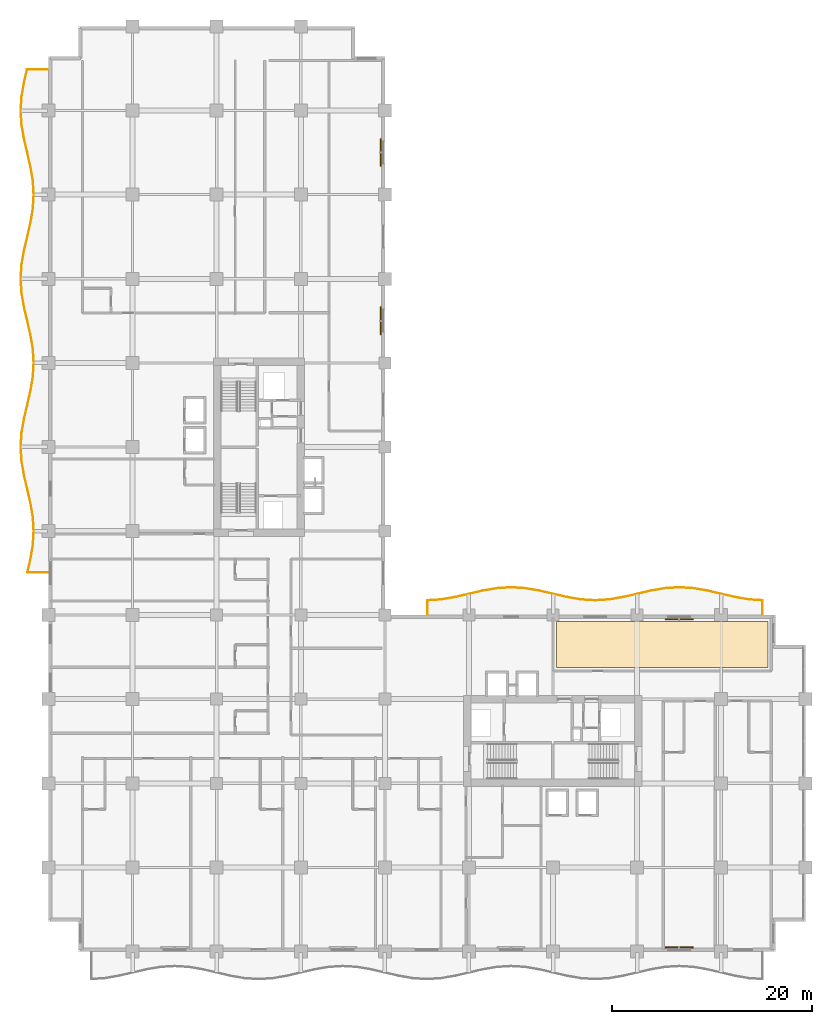
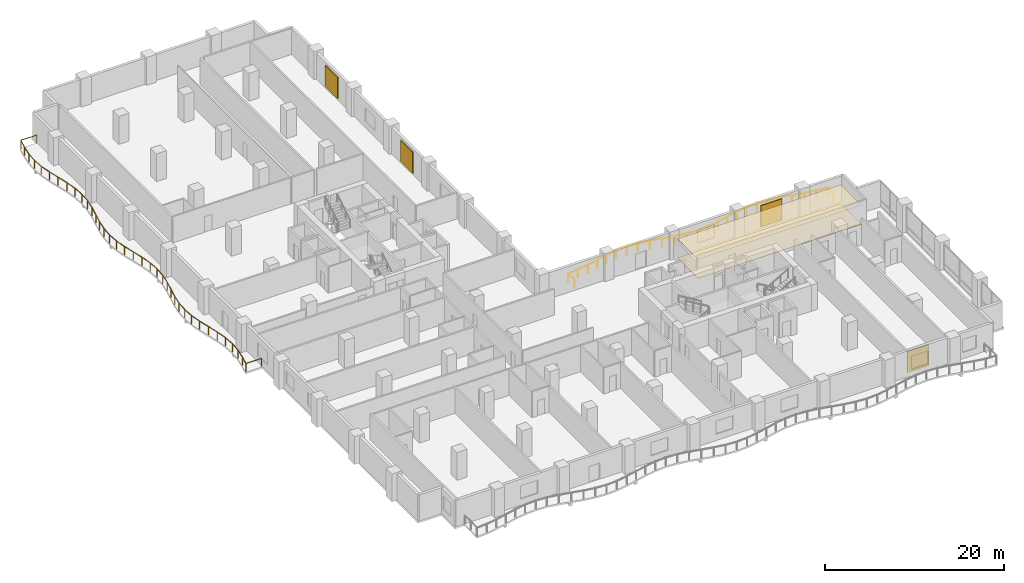
# One storey, part 23 of 23: 4 shading devices, 2 coverings, 2 railings.
"""IFC4 building model written with IfcOpenShell, lengths in metres."""

from ifc_helpers import new_model, si_unit, direction, frame, origin, origin_2d, place, context, subcontext, project, spatial, polyline, rectangle, circle, outline, extrude, material, layer, layer_set, type_object, element, save


model = new_model("IFC4")

# Units and contexts
model_context = context("Model", 3, precision=1e-05, world=origin(), true_north=direction((0.0, 1.0)))
body_context = subcontext(model_context, "Body", "Model", "MODEL_VIEW")
ifc_project = project(units=[si_unit("LENGTHUNIT", "METRE"), si_unit("AREAUNIT", "SQUARE_METRE"), si_unit("VOLUMEUNIT", "CUBIC_METRE"), si_unit("PLANEANGLEUNIT", "RADIAN"), si_unit("MASSUNIT", "GRAM", prefix="KILO")], contexts=[model_context])

# Site, building, storey
site_placement = place(None, origin())
site = spatial("IfcSite", under=ifc_project, at=site_placement, CompositionType="ELEMENT")
building_placement = place(site_placement, origin())
building = spatial("IfcBuilding", under=site, at=building_placement, Name="Koriwani Terraces Tower", CompositionType="ELEMENT")
storey_placement = place(building_placement, frame((0.0, 0.0, 119.0)))
storey = spatial("IfcBuildingStorey", under=building, at=storey_placement, Name="L28", CompositionType="ELEMENT", Elevation=119.0)

# Coverings
ifc_material_1 = material(Name="Fire-Rated Acoustic Gypsum Partition", Category="masonry")
ifc_layer_1 = layer(ifc_material_1, 0.02490234375, Name="Fire-Rated Acoustic Gypsum Partition")
ifc_layer_set_1 = layer_set([ifc_layer_1], Name="Fire-Rated Acoustic Gypsum Partition")
covering_type_1 = type_object("IfcCoveringType", Name="CEILING_ACOUSTIC_GYPSUM", PredefinedType="CEILING", material=ifc_layer_set_1)
covering_1_placement = place(storey_placement, frame((0.0, 0.0, 2.60498046875)))
element("IfcCovering", 1, at=covering_1_placement, inside=storey, type_object=covering_type_1, Name="L28 Suspended Acoustic Gypsum Ceiling", PredefinedType="CEILING", context=body_context, shape_type="SweptSolid", body=[
    extrude(outline(polyline([(50.75, 28.35009765625), (50.75, 32.949951171875), (71.85009765625, 32.949951171875), (71.85009765625, 28.35009765625), (50.75, 28.35009765625)])), origin(), (0.0, 0.0, 1.0), 0.02490234375),
])
ifc_material_2 = material(Name="Polished Andean Slate Flooring", Category="masonry")
ifc_layer_2 = layer(ifc_material_2, 0.030029296875, Name="Polished Andean Slate Flooring")
ifc_layer_set_2 = layer_set([ifc_layer_2], Name="Polished Andean Slate Flooring")
covering_type_2 = type_object("IfcCoveringType", Name="FLOORING_ANDEAN_STONE", PredefinedType="FLOORING", material=ifc_layer_set_2)
covering_2_placement = place(storey_placement, origin())
element("IfcCovering", 2, at=covering_2_placement, inside=storey, type_object=covering_type_2, Name="L28 Polished Andean Slate Floor Finish", PredefinedType="FLOORING", context=body_context, shape_type="SweptSolid", body=[
    extrude(outline(polyline([(50.75, 28.35009765625), (50.75, 32.949951171875), (71.85009765625, 32.949951171875), (71.85009765625, 28.35009765625), (50.75, 28.35009765625)])), origin(), (0.0, 0.0, 1.0), 0.030029296875),
])

# Railings
ifc_material_3 = material(Name="Steel ASTM A572 Grade 50", Category="steel")
railing_type = type_object("IfcRailingType", Name="GUARD_BALUSTRADE_1150", PredefinedType="BALUSTRADE", material=ifc_material_3)
railing_1_placement = place(storey_placement, frame((-0.080078125, 37.8798828125, 0.0)))
element("IfcRailing", 3, at=railing_1_placement, inside=storey, type_object=railing_type, Name="L28 Balcony Perimeter Safety Balustrade (W)", PredefinedType="BALUSTRADE", context=body_context, shape_type="SweptSolid", body=[
    extrude(circle(Radius=0.02392578125, at=origin_2d()), frame((0.0, 0.0, 1.1259765625), z_axis=(-1.0, 0.0, 0.0), x_axis=(0.0, -1.0, 0.0)), (0.0, 0.0, 1.0), 2.019287109375),
    extrude(circle(Radius=0.02392578125, at=origin_2d()), frame((-2.019287109375, 0.0, 1.1259765625), z_axis=(0.226071012836, 0.974110823857, 0.0), x_axis=(-0.974110823857, 0.226071012836, 0.0)), (0.0, 0.0, 1.0), 1.339111328125),
    extrude(circle(Radius=0.02392578125, at=origin_2d()), frame((-1.716552734375, 1.304443359375, 1.1259765625), z_axis=(0.167533954852, 0.985866306337, 0.0), x_axis=(-0.985866306337, 0.167533954852, 0.0)), (0.0, 0.0, 1.0), 1.4267578125),
    extrude(circle(Radius=0.02392578125, at=origin_2d()), frame((-1.4775390625, 2.7109375, 1.1259765625), z_axis=(0.061904605217, 0.9980820707, 0.0), x_axis=(-0.9980820707, 0.061904605217, 0.0)), (0.0, 0.0, 1.0), 1.411865234375),
    extrude(circle(Radius=0.02392578125, at=origin_2d()), frame((-1.39013671875, 4.1201171875, 1.1259765625), z_axis=(-0.061904605217, 0.9980820707, 0.0), x_axis=(-0.9980820707, -0.061904605217, 0.0)), (0.0, 0.0, 1.0), 1.411865234375),
    extrude(circle(Radius=0.02392578125, at=origin_2d()), frame((-1.4775390625, 5.529296875, 1.1259765625), z_axis=(-0.167533954852, 0.985866306337, 0.0), x_axis=(-0.985866306337, -0.167533954852, 0.0)), (0.0, 0.0, 1.0), 1.4267578125),
    extrude(circle(Radius=0.02392578125, at=origin_2d()), frame((-1.716552734375, 6.935791015625, 1.1259765625), z_axis=(-0.226093729043, 0.974105551615, 0.0), x_axis=(-0.974105551615, -0.226093729043, 0.0)), (0.0, 0.0, 1.0), 2.87451171875),
    extrude(circle(Radius=0.02392578125, at=origin_2d()), frame((-2.366455078125, 9.73583984375, 1.1259765625), z_axis=(-0.167535062128, 0.985866118171, 0.0), x_axis=(-0.985866118171, -0.167535062128, 0.0)), (0.0, 0.0, 1.0), 1.41357421875),
    extrude(circle(Radius=0.02392578125, at=origin_2d()), frame((-2.603271484375, 11.12939453125, 1.1259765625), z_axis=(-0.062029198499, 0.998074335174, 0.0), x_axis=(-0.998074335174, -0.062029198499, 0.0)), (0.0, 0.0, 1.0), 1.393310546875),
    extrude(circle(Radius=0.02392578125, at=origin_2d()), frame((-2.689697265625, 12.52001953125, 1.1259765625), z_axis=(0.062018352335, 0.998075009192, 0.0), x_axis=(-0.998075009192, 0.062018352335, 0.0)), (0.0, 0.0, 1.0), 1.3935546875),
    extrude(circle(Radius=0.02392578125, at=origin_2d()), frame((-2.603271484375, 13.910888671875, 1.1259765625), z_axis=(0.167563594016, 0.985861269125, 0.0), x_axis=(-0.985861269125, 0.167563594016, 0.0)), (0.0, 0.0, 1.0), 1.413330078125),
    extrude(circle(Radius=0.02392578125, at=origin_2d()), frame((-2.366455078125, 15.30419921875, 1.1259765625), z_axis=(0.226075024805, 0.974109892753, 0.0), x_axis=(-0.974109892753, 0.226075024805, 0.0)), (0.0, 0.0, 1.0), 2.874755859375),
    extrude(circle(Radius=0.02392578125, at=origin_2d()), frame((-1.716552734375, 18.1044921875, 1.1259765625), z_axis=(0.167533954852, 0.985866306337, 0.0), x_axis=(-0.985866306337, 0.167533954852, 0.0)), (0.0, 0.0, 1.0), 1.4267578125),
    extrude(circle(Radius=0.02392578125, at=origin_2d()), frame((-1.4775390625, 19.510986328125, 1.1259765625), z_axis=(0.061904605217, 0.9980820707, 0.0), x_axis=(-0.9980820707, 0.061904605217, 0.0)), (0.0, 0.0, 1.0), 1.411865234375),
    extrude(circle(Radius=0.02392578125, at=origin_2d()), frame((-1.39013671875, 20.920166015625, 1.1259765625), z_axis=(-0.061904605217, 0.9980820707, 0.0), x_axis=(-0.9980820707, -0.061904605217, 0.0)), (0.0, 0.0, 1.0), 1.411865234375),
    extrude(circle(Radius=0.02392578125, at=origin_2d()), frame((-1.4775390625, 22.329345703125, 1.1259765625), z_axis=(-0.167533954852, 0.985866306337, 0.0), x_axis=(-0.985866306337, -0.167533954852, 0.0)), (0.0, 0.0, 1.0), 1.4267578125),
    extrude(circle(Radius=0.02392578125, at=origin_2d()), frame((-1.716552734375, 23.73583984375, 1.1259765625), z_axis=(-0.226093729043, 0.974105551615, 0.0), x_axis=(-0.974105551615, -0.226093729043, 0.0)), (0.0, 0.0, 1.0), 2.87451171875),
    extrude(circle(Radius=0.02392578125, at=origin_2d()), frame((-2.366455078125, 26.535888671875, 1.1259765625), z_axis=(-0.167563594016, 0.985861269125, 0.0), x_axis=(-0.985861269125, -0.167563594016, 0.0)), (0.0, 0.0, 1.0), 1.413330078125),
    extrude(circle(Radius=0.02392578125, at=origin_2d()), frame((-2.603271484375, 27.92919921875, 1.1259765625), z_axis=(-0.062018352335, 0.998075009192, 0.0), x_axis=(-0.998075009192, -0.062018352335, 0.0)), (0.0, 0.0, 1.0), 1.3935546875),
    extrude(circle(Radius=0.02392578125, at=origin_2d()), frame((-2.689697265625, 29.320068359375, 1.1259765625), z_axis=(0.062018352335, 0.998075009192, 0.0), x_axis=(-0.998075009192, 0.062018352335, 0.0)), (0.0, 0.0, 1.0), 1.3935546875),
    extrude(circle(Radius=0.02392578125, at=origin_2d()), frame((-2.603271484375, 30.7109375, 1.1259765625), z_axis=(0.167563594016, 0.985861269125, 0.0), x_axis=(-0.985861269125, 0.167563594016, 0.0)), (0.0, 0.0, 1.0), 1.413330078125),
    extrude(circle(Radius=0.02392578125, at=origin_2d()), frame((-2.366455078125, 32.104248046875, 1.1259765625), z_axis=(0.226093729043, 0.974105551615, 0.0), x_axis=(-0.974105551615, 0.226093729043, 0.0)), (0.0, 0.0, 1.0), 2.87451171875),
    extrude(circle(Radius=0.02392578125, at=origin_2d()), frame((-1.716552734375, 34.904296875, 1.1259765625), z_axis=(0.16750569507, 0.985871108269, 0.0), x_axis=(-0.985871108269, 0.16750569507, 0.0)), (0.0, 0.0, 1.0), 1.427001953125),
    extrude(circle(Radius=0.02392578125, at=origin_2d()), frame((-1.4775390625, 36.31103515625, 1.1259765625), z_axis=(0.061904605217, 0.9980820707, 0.0), x_axis=(-0.9980820707, 0.061904605217, 0.0)), (0.0, 0.0, 1.0), 1.411865234375),
    extrude(circle(Radius=0.02392578125, at=origin_2d()), frame((-1.39013671875, 37.72021484375, 1.1259765625), z_axis=(-0.061904605217, 0.9980820707, 0.0), x_axis=(-0.9980820707, -0.061904605217, 0.0)), (0.0, 0.0, 1.0), 1.411865234375),
    extrude(circle(Radius=0.02392578125, at=origin_2d()), frame((-1.4775390625, 39.12939453125, 1.1259765625), z_axis=(-0.167533954852, 0.985866306337, 0.0), x_axis=(-0.985866306337, -0.167533954852, 0.0)), (0.0, 0.0, 1.0), 1.4267578125),
    extrude(circle(Radius=0.02392578125, at=origin_2d()), frame((-1.716552734375, 40.535888671875, 1.1259765625), z_axis=(-0.226093729043, 0.974105551615, 0.0), x_axis=(-0.974105551615, -0.226093729043, 0.0)), (0.0, 0.0, 1.0), 2.87451171875),
    extrude(circle(Radius=0.02392578125, at=origin_2d()), frame((-2.366455078125, 43.3359375, 1.1259765625), z_axis=(-0.167563594016, 0.985861269125, 0.0), x_axis=(-0.985861269125, -0.167563594016, 0.0)), (0.0, 0.0, 1.0), 1.413330078125),
    extrude(circle(Radius=0.02392578125, at=origin_2d()), frame((-2.603271484375, 44.729248046875, 1.1259765625), z_axis=(-0.062018352335, 0.998075009192, 0.0), x_axis=(-0.998075009192, -0.062018352335, 0.0)), (0.0, 0.0, 1.0), 1.3935546875),
    extrude(circle(Radius=0.02392578125, at=origin_2d()), frame((-2.689697265625, 46.1201171875, 1.1259765625), z_axis=(0.062018352335, 0.998075009192, 0.0), x_axis=(-0.998075009192, 0.062018352335, 0.0)), (0.0, 0.0, 1.0), 1.3935546875),
    extrude(circle(Radius=0.02392578125, at=origin_2d()), frame((-2.603271484375, 47.510986328125, 1.1259765625), z_axis=(0.167563594016, 0.985861269125, 0.0), x_axis=(-0.985861269125, 0.167563594016, 0.0)), (0.0, 0.0, 1.0), 1.413330078125),
    extrude(circle(Radius=0.02392578125, at=origin_2d()), frame((-2.366455078125, 48.904296875, 1.1259765625), z_axis=(0.226081445763, 0.974108402531, 0.0), x_axis=(-0.974108402531, 0.226081445763, 0.0)), (0.0, 0.0, 1.0), 1.371337890625),
    extrude(circle(Radius=0.02392578125, at=origin_2d()), frame((-2.056396484375, 50.240234375, 1.1259765625), z_axis=(1.0, 0.0, 0.0), x_axis=(0.0, 1.0, 0.0)), (0.0, 0.0, 1.0), 2.056396484375),
    extrude(circle(Radius=0.02099609375, at=origin_2d()), origin(), (0.0, 0.0, 1.0), 1.101806640625),
    extrude(circle(Radius=0.02099609375, at=origin_2d()), frame((-2.019287109375, 0.0, 0.0)), (0.0, 0.0, 1.0), 1.101806640625),
    extrude(circle(Radius=0.02099609375, at=origin_2d()), frame((-1.716552734375, 1.304443359375, 0.0)), (0.0, 0.0, 1.0), 1.101806640625),
    extrude(circle(Radius=0.02099609375, at=origin_2d()), frame((-1.4775390625, 2.7109375, 0.0)), (0.0, 0.0, 1.0), 1.101806640625),
    extrude(circle(Radius=0.02099609375, at=origin_2d()), frame((-1.39013671875, 4.1201171875, 0.0)), (0.0, 0.0, 1.0), 1.101806640625),
    extrude(circle(Radius=0.02099609375, at=origin_2d()), frame((-1.4775390625, 5.529296875, 0.0)), (0.0, 0.0, 1.0), 1.101806640625),
    extrude(circle(Radius=0.02099609375, at=origin_2d()), frame((-1.716552734375, 6.935791015625, 0.0)), (0.0, 0.0, 1.0), 1.101806640625),
    extrude(circle(Radius=0.02099609375, at=origin_2d()), frame((-2.04150390625, 8.3359375, 0.0)), (0.0, 0.0, 1.0), 1.101806640625),
    extrude(circle(Radius=0.02099609375, at=origin_2d()), frame((-2.366455078125, 9.73583984375, 0.0)), (0.0, 0.0, 1.0), 1.101806640625),
    extrude(circle(Radius=0.02099609375, at=origin_2d()), frame((-2.603271484375, 11.12939453125, 0.0)), (0.0, 0.0, 1.0), 1.101806640625),
    extrude(circle(Radius=0.02099609375, at=origin_2d()), frame((-2.689697265625, 12.52001953125, 0.0)), (0.0, 0.0, 1.0), 1.101806640625),
    extrude(circle(Radius=0.02099609375, at=origin_2d()), frame((-2.603271484375, 13.910888671875, 0.0)), (0.0, 0.0, 1.0), 1.101806640625),
    extrude(circle(Radius=0.02099609375, at=origin_2d()), frame((-2.366455078125, 15.30419921875, 0.0)), (0.0, 0.0, 1.0), 1.101806640625),
    extrude(circle(Radius=0.02099609375, at=origin_2d()), frame((-2.04150390625, 16.704345703125, 0.0)), (0.0, 0.0, 1.0), 1.101806640625),
    extrude(circle(Radius=0.02099609375, at=origin_2d()), frame((-1.716552734375, 18.1044921875, 0.0)), (0.0, 0.0, 1.0), 1.101806640625),
    extrude(circle(Radius=0.02099609375, at=origin_2d()), frame((-1.4775390625, 19.510986328125, 0.0)), (0.0, 0.0, 1.0), 1.101806640625),
    extrude(circle(Radius=0.02099609375, at=origin_2d()), frame((-1.39013671875, 20.920166015625, 0.0)), (0.0, 0.0, 1.0), 1.101806640625),
    extrude(circle(Radius=0.02099609375, at=origin_2d()), frame((-1.4775390625, 22.329345703125, 0.0)), (0.0, 0.0, 1.0), 1.101806640625),
    extrude(circle(Radius=0.02099609375, at=origin_2d()), frame((-1.716552734375, 23.73583984375, 0.0)), (0.0, 0.0, 1.0), 1.101806640625),
    extrude(circle(Radius=0.02099609375, at=origin_2d()), frame((-2.04150390625, 25.1357421875, 0.0)), (0.0, 0.0, 1.0), 1.101806640625),
    extrude(circle(Radius=0.02099609375, at=origin_2d()), frame((-2.366455078125, 26.535888671875, 0.0)), (0.0, 0.0, 1.0), 1.101806640625),
    extrude(circle(Radius=0.02099609375, at=origin_2d()), frame((-2.603271484375, 27.92919921875, 0.0)), (0.0, 0.0, 1.0), 1.101806640625),
    extrude(circle(Radius=0.02099609375, at=origin_2d()), frame((-2.689697265625, 29.320068359375, 0.0)), (0.0, 0.0, 1.0), 1.101806640625),
    extrude(circle(Radius=0.02099609375, at=origin_2d()), frame((-2.603271484375, 30.7109375, 0.0)), (0.0, 0.0, 1.0), 1.101806640625),
    extrude(circle(Radius=0.02099609375, at=origin_2d()), frame((-2.366455078125, 32.104248046875, 0.0)), (0.0, 0.0, 1.0), 1.101806640625),
    extrude(circle(Radius=0.02099609375, at=origin_2d()), frame((-2.04150390625, 33.50439453125, 0.0)), (0.0, 0.0, 1.0), 1.101806640625),
    extrude(circle(Radius=0.02099609375, at=origin_2d()), frame((-1.716552734375, 34.904296875, 0.0)), (0.0, 0.0, 1.0), 1.101806640625),
    extrude(circle(Radius=0.02099609375, at=origin_2d()), frame((-1.4775390625, 36.31103515625, 0.0)), (0.0, 0.0, 1.0), 1.101806640625),
    extrude(circle(Radius=0.02099609375, at=origin_2d()), frame((-1.39013671875, 37.72021484375, 0.0)), (0.0, 0.0, 1.0), 1.101806640625),
    extrude(circle(Radius=0.02099609375, at=origin_2d()), frame((-1.4775390625, 39.12939453125, 0.0)), (0.0, 0.0, 1.0), 1.101806640625),
    extrude(circle(Radius=0.02099609375, at=origin_2d()), frame((-1.716552734375, 40.535888671875, 0.0)), (0.0, 0.0, 1.0), 1.101806640625),
    extrude(circle(Radius=0.02099609375, at=origin_2d()), frame((-2.04150390625, 41.93603515625, 0.0)), (0.0, 0.0, 1.0), 1.101806640625),
    extrude(circle(Radius=0.02099609375, at=origin_2d()), frame((-2.366455078125, 43.3359375, 0.0)), (0.0, 0.0, 1.0), 1.101806640625),
    extrude(circle(Radius=0.02099609375, at=origin_2d()), frame((-2.603271484375, 44.729248046875, 0.0)), (0.0, 0.0, 1.0), 1.101806640625),
    extrude(circle(Radius=0.02099609375, at=origin_2d()), frame((-2.689697265625, 46.1201171875, 0.0)), (0.0, 0.0, 1.0), 1.101806640625),
    extrude(circle(Radius=0.02099609375, at=origin_2d()), frame((-2.603271484375, 47.510986328125, 0.0)), (0.0, 0.0, 1.0), 1.101806640625),
    extrude(circle(Radius=0.02099609375, at=origin_2d()), frame((-2.366455078125, 48.904296875, 0.0)), (0.0, 0.0, 1.0), 1.101806640625),
    extrude(circle(Radius=0.02099609375, at=origin_2d()), frame((-2.056396484375, 50.240234375, 0.0)), (0.0, 0.0, 1.0), 1.101806640625),
    extrude(circle(Radius=0.02099609375, at=origin_2d()), frame((0.0, 50.240234375, 0.0)), (0.0, 0.0, 1.0), 1.101806640625),
])
railing_2_placement = place(storey_placement, frame((71.320068359375, 33.679931640625, 0.0)))
element("IfcRailing", 4, at=railing_2_placement, inside=storey, type_object=railing_type, Name="L28 Balcony Perimeter Safety Balustrade (NE)", PredefinedType="BALUSTRADE", context=body_context, shape_type="SweptSolid", body=[
    extrude(circle(Radius=0.02392578125, at=origin_2d()), frame((0.0, 0.0, 1.1259765625), z_axis=(0.0, 1.0, 0.0), x_axis=(-1.0, 0.0, 0.0)), (0.0, 0.0, 1.0), 1.394775390625),
    extrude(circle(Radius=0.02392578125, at=origin_2d()), frame((0.0, 1.394775390625, 1.1259765625), z_axis=(-0.998056142956, 0.062321228394, 0.0), x_axis=(-0.062321228394, -0.998056142956, 0.0)), (0.0, 0.0, 1.0), 1.33203125),
    extrude(circle(Radius=0.02392578125, at=origin_2d()), frame((-1.329345703125, 1.477783203125, 1.1259765625), z_axis=(-0.985894557597, 0.167367623213, 0.0), x_axis=(-0.167367623213, -0.985894557597, 0.0)), (0.0, 0.0, 1.0), 1.426513671875),
    extrude(circle(Radius=0.02392578125, at=origin_2d()), frame((-2.73583984375, 1.716552734375, 1.1259765625), z_axis=(-0.974105551615, 0.226093729043, 0.0), x_axis=(-0.226093729043, -0.974105551615, 0.0)), (0.0, 0.0, 1.0), 2.87451171875),
    extrude(circle(Radius=0.02392578125, at=origin_2d()), frame((-5.535888671875, 2.366455078125, 1.1259765625), z_axis=(-0.985861269125, 0.167563594016, 0.0), x_axis=(-0.167563594016, -0.985861269125, 0.0)), (0.0, 0.0, 1.0), 1.413330078125),
    extrude(circle(Radius=0.02392578125, at=origin_2d()), frame((-6.92919921875, 2.603271484375, 1.1259765625), z_axis=(-0.998064149781, 0.062192868733, 0.0), x_axis=(-0.062192868733, -0.998064149781, 0.0)), (0.0, 0.0, 1.0), 1.3935546875),
    extrude(circle(Radius=0.02392578125, at=origin_2d()), frame((-8.320068359375, 2.68994140625, 1.1259765625), z_axis=(-0.998064149781, -0.062192868733, 0.0), x_axis=(0.062192868733, -0.998064149781, 0.0)), (0.0, 0.0, 1.0), 1.3935546875),
    extrude(circle(Radius=0.02392578125, at=origin_2d()), frame((-9.7109375, 2.603271484375, 1.1259765625), z_axis=(-0.985861269125, -0.167563594016, 0.0), x_axis=(0.167563594016, -0.985861269125, 0.0)), (0.0, 0.0, 1.0), 1.413330078125),
    extrude(circle(Radius=0.02392578125, at=origin_2d()), frame((-11.104248046875, 2.366455078125, 1.1259765625), z_axis=(-0.974105551615, -0.226093729043, 0.0), x_axis=(0.226093729043, -0.974105551615, 0.0)), (0.0, 0.0, 1.0), 2.87451171875),
    extrude(circle(Radius=0.02392578125, at=origin_2d()), frame((-13.904296875, 1.716552734375, 1.1259765625), z_axis=(-0.985894557597, -0.167367623213, 0.0), x_axis=(0.167367623213, -0.985894557597, 0.0)), (0.0, 0.0, 1.0), 1.426513671875),
    extrude(circle(Radius=0.02392578125, at=origin_2d()), frame((-15.310791015625, 1.477783203125, 1.1259765625), z_axis=(-0.9980820707, -0.061904605217, 0.0), x_axis=(0.061904605217, -0.9980820707, 0.0)), (0.0, 0.0, 1.0), 1.411865234375),
    extrude(circle(Radius=0.02392578125, at=origin_2d()), frame((-16.719970703125, 1.390380859375, 1.1259765625), z_axis=(-0.9980820707, 0.061904605217, 0.0), x_axis=(-0.061904605217, -0.9980820707, 0.0)), (0.0, 0.0, 1.0), 1.411865234375),
    extrude(circle(Radius=0.02392578125, at=origin_2d()), frame((-18.129150390625, 1.477783203125, 1.1259765625), z_axis=(-0.985899350136, 0.16733938987, 0.0), x_axis=(-0.16733938987, -0.985899350136, 0.0)), (0.0, 0.0, 1.0), 1.4267578125),
    extrude(circle(Radius=0.02392578125, at=origin_2d()), frame((-19.535888671875, 1.716552734375, 1.1259765625), z_axis=(-0.974105551615, 0.226093729043, 0.0), x_axis=(-0.226093729043, -0.974105551615, 0.0)), (0.0, 0.0, 1.0), 2.87451171875),
    extrude(circle(Radius=0.02392578125, at=origin_2d()), frame((-22.3359375, 2.366455078125, 1.1259765625), z_axis=(-0.985861269125, 0.167563594016, 0.0), x_axis=(-0.167563594016, -0.985861269125, 0.0)), (0.0, 0.0, 1.0), 1.413330078125),
    extrude(circle(Radius=0.02392578125, at=origin_2d()), frame((-23.729248046875, 2.603271484375, 1.1259765625), z_axis=(-0.998064149781, 0.062192868733, 0.0), x_axis=(-0.062192868733, -0.998064149781, 0.0)), (0.0, 0.0, 1.0), 1.3935546875),
    extrude(circle(Radius=0.02392578125, at=origin_2d()), frame((-25.1201171875, 2.68994140625, 1.1259765625), z_axis=(-0.998064149781, -0.062192868733, 0.0), x_axis=(0.062192868733, -0.998064149781, 0.0)), (0.0, 0.0, 1.0), 1.3935546875),
    extrude(circle(Radius=0.02392578125, at=origin_2d()), frame((-26.510986328125, 2.603271484375, 1.1259765625), z_axis=(-0.985861269125, -0.167563594016, 0.0), x_axis=(0.167563594016, -0.985861269125, 0.0)), (0.0, 0.0, 1.0), 1.413330078125),
    extrude(circle(Radius=0.02392578125, at=origin_2d()), frame((-27.904296875, 2.366455078125, 1.1259765625), z_axis=(-0.974105551615, -0.226093729043, 0.0), x_axis=(0.226093729043, -0.974105551615, 0.0)), (0.0, 0.0, 1.0), 2.87451171875),
    extrude(circle(Radius=0.02392578125, at=origin_2d()), frame((-30.704345703125, 1.716552734375, 1.1259765625), z_axis=(-0.985894557597, -0.167367623213, 0.0), x_axis=(0.167367623213, -0.985894557597, 0.0)), (0.0, 0.0, 1.0), 1.426513671875),
    extrude(circle(Radius=0.02392578125, at=origin_2d()), frame((-32.11083984375, 1.477783203125, 1.1259765625), z_axis=(-0.998056142956, -0.062321228394, 0.0), x_axis=(0.062321228394, -0.998056142956, 0.0)), (0.0, 0.0, 1.0), 1.33203125),
    extrude(circle(Radius=0.02392578125, at=origin_2d()), frame((-33.440185546875, 1.394775390625, 1.1259765625), z_axis=(0.0, -1.0, 0.0), x_axis=(1.0, 0.0, 0.0)), (0.0, 0.0, 1.0), 1.394775390625),
    extrude(circle(Radius=0.02099609375, at=origin_2d()), origin(), (0.0, 0.0, 1.0), 1.101806640625),
    extrude(circle(Radius=0.02099609375, at=origin_2d()), frame((0.0, 1.394775390625, 0.0)), (0.0, 0.0, 1.0), 1.101806640625),
    extrude(circle(Radius=0.02099609375, at=origin_2d()), frame((-1.329345703125, 1.477783203125, 0.0)), (0.0, 0.0, 1.0), 1.101806640625),
    extrude(circle(Radius=0.02099609375, at=origin_2d()), frame((-2.73583984375, 1.716552734375, 0.0)), (0.0, 0.0, 1.0), 1.101806640625),
    extrude(circle(Radius=0.02099609375, at=origin_2d()), frame((-4.1357421875, 2.04150390625, 0.0)), (0.0, 0.0, 1.0), 1.101806640625),
    extrude(circle(Radius=0.02099609375, at=origin_2d()), frame((-5.535888671875, 2.366455078125, 0.0)), (0.0, 0.0, 1.0), 1.101806640625),
    extrude(circle(Radius=0.02099609375, at=origin_2d()), frame((-6.92919921875, 2.603271484375, 0.0)), (0.0, 0.0, 1.0), 1.101806640625),
    extrude(circle(Radius=0.02099609375, at=origin_2d()), frame((-8.320068359375, 2.68994140625, 0.0)), (0.0, 0.0, 1.0), 1.101806640625),
    extrude(circle(Radius=0.02099609375, at=origin_2d()), frame((-9.7109375, 2.603271484375, 0.0)), (0.0, 0.0, 1.0), 1.101806640625),
    extrude(circle(Radius=0.02099609375, at=origin_2d()), frame((-11.104248046875, 2.366455078125, 0.0)), (0.0, 0.0, 1.0), 1.101806640625),
    extrude(circle(Radius=0.02099609375, at=origin_2d()), frame((-12.50439453125, 2.04150390625, 0.0)), (0.0, 0.0, 1.0), 1.101806640625),
    extrude(circle(Radius=0.02099609375, at=origin_2d()), frame((-13.904296875, 1.716552734375, 0.0)), (0.0, 0.0, 1.0), 1.101806640625),
    extrude(circle(Radius=0.02099609375, at=origin_2d()), frame((-15.310791015625, 1.477783203125, 0.0)), (0.0, 0.0, 1.0), 1.101806640625),
    extrude(circle(Radius=0.02099609375, at=origin_2d()), frame((-16.719970703125, 1.390380859375, 0.0)), (0.0, 0.0, 1.0), 1.101806640625),
    extrude(circle(Radius=0.02099609375, at=origin_2d()), frame((-18.129150390625, 1.477783203125, 0.0)), (0.0, 0.0, 1.0), 1.101806640625),
    extrude(circle(Radius=0.02099609375, at=origin_2d()), frame((-19.535888671875, 1.716552734375, 0.0)), (0.0, 0.0, 1.0), 1.101806640625),
    extrude(circle(Radius=0.02099609375, at=origin_2d()), frame((-20.93603515625, 2.04150390625, 0.0)), (0.0, 0.0, 1.0), 1.101806640625),
    extrude(circle(Radius=0.02099609375, at=origin_2d()), frame((-22.3359375, 2.366455078125, 0.0)), (0.0, 0.0, 1.0), 1.101806640625),
    extrude(circle(Radius=0.02099609375, at=origin_2d()), frame((-23.729248046875, 2.603271484375, 0.0)), (0.0, 0.0, 1.0), 1.101806640625),
    extrude(circle(Radius=0.02099609375, at=origin_2d()), frame((-25.1201171875, 2.68994140625, 0.0)), (0.0, 0.0, 1.0), 1.101806640625),
    extrude(circle(Radius=0.02099609375, at=origin_2d()), frame((-26.510986328125, 2.603271484375, 0.0)), (0.0, 0.0, 1.0), 1.101806640625),
    extrude(circle(Radius=0.02099609375, at=origin_2d()), frame((-27.904296875, 2.366455078125, 0.0)), (0.0, 0.0, 1.0), 1.101806640625),
    extrude(circle(Radius=0.02099609375, at=origin_2d()), frame((-29.30419921875, 2.04150390625, 0.0)), (0.0, 0.0, 1.0), 1.101806640625),
    extrude(circle(Radius=0.02099609375, at=origin_2d()), frame((-30.704345703125, 1.716552734375, 0.0)), (0.0, 0.0, 1.0), 1.101806640625),
    extrude(circle(Radius=0.02099609375, at=origin_2d()), frame((-32.11083984375, 1.477783203125, 0.0)), (0.0, 0.0, 1.0), 1.101806640625),
    extrude(circle(Radius=0.02099609375, at=origin_2d()), frame((-33.440185546875, 1.394775390625, 0.0)), (0.0, 0.0, 1.0), 1.101806640625),
    extrude(circle(Radius=0.02099609375, at=origin_2d()), frame((-33.440185546875, 0.0, 0.0)), (0.0, 0.0, 1.0), 1.101806640625),
])

# Shading devices
ifc_material_4 = material(Name="Extruded Terracotta Clay", Category="masonry")
ifc_layer_3 = layer(ifc_material_4, 0.1201171875, Name="Extruded Terracotta Clay")
ifc_layer_set_3 = layer_set([ifc_layer_3], Name="Extruded Terracotta Clay")
shading_device_type = type_object("IfcShadingDeviceType", Name="TERRACOTTA_BAGUETTE_SCREEN_2800", PredefinedType="USERDEFINED", material=ifc_layer_set_3)
for number, where, z_axis, x_axis, name in (
    (5, (33.195068359375, 63.0, 0.324951171875), (0.0, 0.0, 1.0), (0.0, -1.0, 0.0), "L28 Extruded Terracotta Baguette Screen (NW_IN-11)"),
    (6, (33.195068359375, 79.800048828125, 0.324951171875), (0.0, 0.0, 1.0), (0.0, -1.0, 0.0), "L28 Extruded Terracotta Baguette Screen (NW_IN-17)"),
    (7, (63.0, 33.195068359375, 0.324951171875), (0.0, 0.0, 1.0), (1.0, 0.0, 0.0), "L28 Extruded Terracotta Baguette Screen (NE-11)"),
    (8, (63.0, 0.405029296875, 0.324951171875), (0.0, 0.0, 1.0), (-1.0, 0.0, 0.0), "L28 Extruded Terracotta Baguette Screen (S-21)"),
):
    element("IfcShadingDevice", number, at=place(storey_placement, frame(where, z_axis=z_axis, x_axis=x_axis)), inside=storey, type_object=shading_device_type, Name=name, ObjectType="BAGUETTE", PredefinedType="USERDEFINED", context=body_context, shape_type="SweptSolid", body=[
        extrude(rectangle(XDim=2.760009765625, YDim=0.1201171875, at=origin_2d()), origin(), (0.0, 0.0, 1.0), 2.89990234375),
    ])

save(model, "model.ifc")
